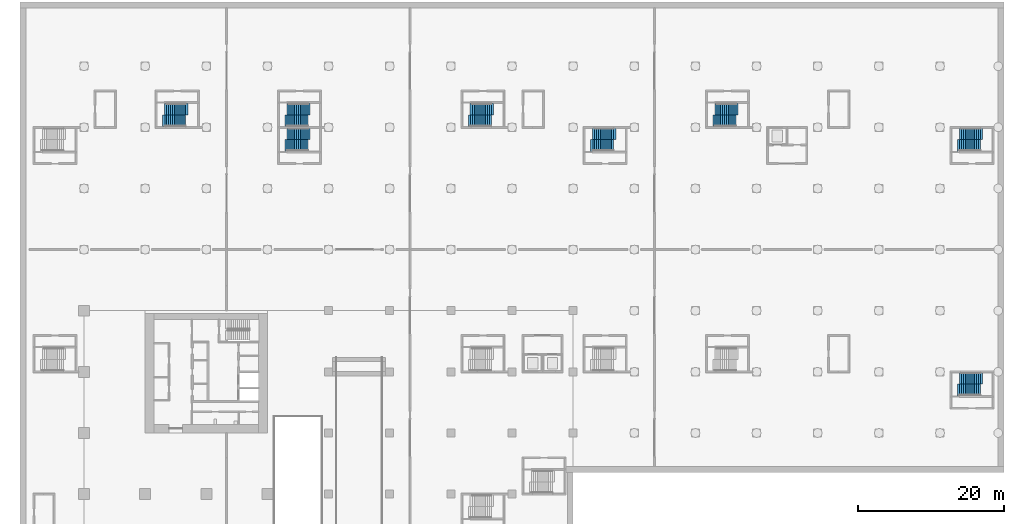
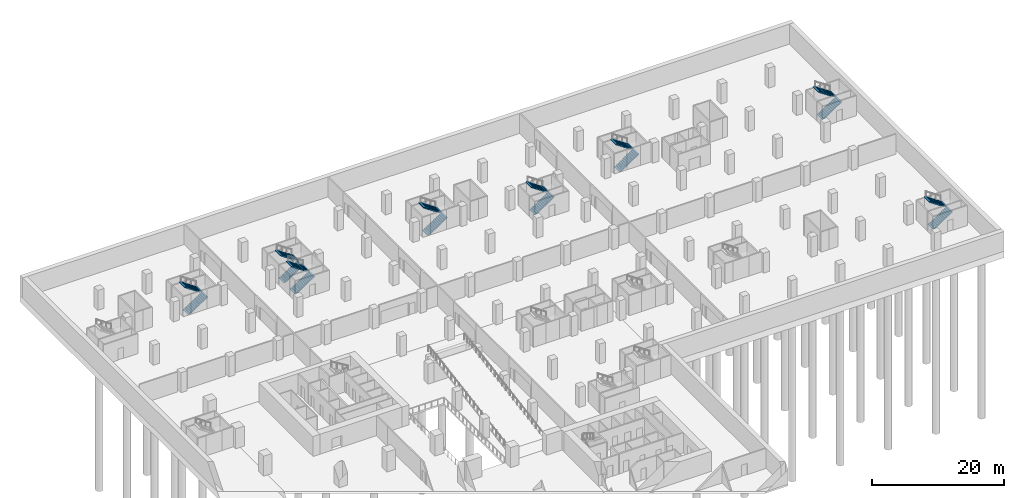
# One storey, part 15 of 19: 16 stair flights, 8 elements without a shape of their own.
"""IFC4 building model written with IfcOpenShell, lengths in metres."""

import ifcopenshell
import ifcopenshell.guid

model = None  # the IFC model being written
_history = None  # IfcOwnerHistory: only IFC2X3 demands one
_inside = {}  # id of a spatial element -> (the spatial element, [elements in it])
_under = {}  # id of a project, library or spatial element -> (it, [spatial elements below it])
_declared = {}  # id of a project -> (the project, [libraries it declares])
_typed = {}  # id of a type object -> (the type object, [elements of that type])
_made_of = {}  # id of a material, layer set ... -> (it, [elements and type objects made of it])


def new_model(schema):
    """Start an empty IFC model of exactly this schema.

    Asked for "IFC4X3", IfcOpenShell would pick the latest addendum, in which some entities
    have other attributes; the version numbers below select the first issue.
    IFC2X3 requires an IfcOwnerHistory on every rooted entity: one is made here for all.
    """
    global model, _history
    if schema == "IFC4X3":
        model = ifcopenshell.file(schema_version=(4, 3, 0, 0))
    else:
        model = ifcopenshell.file(schema=schema)
    _inside.clear()
    _under.clear()
    _declared.clear()
    _typed.clear()
    _made_of.clear()
    _history = None
    if model.schema == "IFC2X3":
        org = make("IfcOrganization", Name="unknown")
        user = make(
            "IfcPersonAndOrganization",
            ThePerson=make("IfcPerson", FamilyName="unknown"),
            TheOrganization=org,
        )
        app = make(
            "IfcApplication",
            ApplicationDeveloper=org,
            Version="unknown",
            ApplicationFullName="unknown",
            ApplicationIdentifier="unknown",
        )
        _history = make(
            "IfcOwnerHistory",
            OwningUser=user,
            OwningApplication=app,
            ChangeAction="ADDED",
            CreationDate=0,
        )
    return model


def make(cls, **values):
    """One entity of the class cls with the attributes given. An attribute that is None is left unset."""
    return model.create_entity(
        cls, **{name: value for name, value in values.items() if value is not None}
    )


def rooted(cls, **values):
    """An entity with a GlobalId (a new one), such as an element, a storey or a relation."""
    return make(cls, GlobalId=ifcopenshell.guid.new(), OwnerHistory=_history, **values)


def si_unit(unit_type, name, prefix=None):
    """IfcSIUnit, for example si_unit("LENGTHUNIT", "METRE", prefix="MILLI")."""
    return make("IfcSIUnit", UnitType=unit_type, Prefix=prefix, Name=name)


def assignment(units):
    """IfcUnitAssignment: the units of a project."""
    return None if units is None else make("IfcUnitAssignment", Units=units)


def point(xyz):
    """IfcCartesianPoint."""
    return None if xyz is None else make("IfcCartesianPoint", Coordinates=xyz)


def direction(xyz):
    """IfcDirection."""
    return None if xyz is None else make("IfcDirection", DirectionRatios=xyz)


def frame(location, z_axis=None, x_axis=None):
    """IfcAxis2Placement3D, a coordinate frame: its origin and axes. An axis left out is left unset."""
    return make(
        "IfcAxis2Placement3D",
        Location=point(location),
        Axis=direction(z_axis),
        RefDirection=direction(x_axis),
    )


def origin():
    """The frame at (0, 0, 0) with its axes left unset."""
    return frame((0.0, 0.0, 0.0))


def place(relative_to, where):
    """IfcLocalPlacement: puts the frame where relative to a parent placement (None: the world)."""
    return make(
        "IfcLocalPlacement", PlacementRelTo=relative_to, RelativePlacement=where
    )


def context(
    kind, dimensions, precision=None, world=None, true_north=None, identifier=None
):
    """IfcGeometricRepresentationContext, for example the 3D "Model" context."""
    return make(
        "IfcGeometricRepresentationContext",
        ContextIdentifier=identifier,
        ContextType=kind,
        CoordinateSpaceDimension=dimensions,
        Precision=precision,
        WorldCoordinateSystem=world,
        TrueNorth=true_north,
    )


def subcontext(parent, identifier, kind, view, scale=None):
    """IfcGeometricRepresentationSubContext, for example "Body" below "Model"."""
    return make(
        "IfcGeometricRepresentationSubContext",
        ContextIdentifier=identifier,
        ContextType=kind,
        ParentContext=parent,
        TargetScale=scale,
        TargetView=view,
    )


def project(units=None, contexts=None):
    """IfcProject with its units and contexts."""
    return rooted(
        "IfcProject",
        Name="project",
        RepresentationContexts=contexts,
        UnitsInContext=assignment(units),
    )


def spatial(cls, under=None, at=None, **own):
    """A site, building, storey or space (cls), placed at a placement, below another one or the project."""
    s = rooted(cls, ObjectPlacement=at, **own)
    if under is not None:
        _under.setdefault(under.id(), (under, []))[1].append(s)
    return s


def polyline(points):
    """IfcPolyline through the points."""
    return make("IfcPolyline", Points=[point(p) for p in points])


def outline(outer, holes=None, kind="AREA"):
    """IfcArbitraryClosedProfileDef: a profile drawn as a closed curve; with holes, ...WithVoids."""
    if holes is None:
        return make("IfcArbitraryClosedProfileDef", ProfileType=kind, OuterCurve=outer)
    return make(
        "IfcArbitraryProfileDefWithVoids",
        ProfileType=kind,
        OuterCurve=outer,
        InnerCurves=holes,
    )


def extrude(swept, where, along, depth):
    """IfcExtrudedAreaSolid: the profile swept, set in the frame where, extruded along a direction by depth."""
    return make(
        "IfcExtrudedAreaSolid",
        SweptArea=swept,
        Position=where,
        ExtrudedDirection=direction(along),
        Depth=depth,
    )


def shape(context_of_items, identifier, shape_type, items):
    """IfcShapeRepresentation: the items that make up one representation, for example the "Body"."""
    return make(
        "IfcShapeRepresentation",
        ContextOfItems=context_of_items,
        RepresentationIdentifier=identifier,
        RepresentationType=shape_type,
        Items=items,
    )


def material(Name=None, Category=None):
    """IfcMaterial."""
    return make("IfcMaterial", Name=Name, Category=Category)


def made_of(thing, what):
    """Note that an element or type object is made of a material, layer set ...; save() writes the relation."""
    if what is not None:
        _made_of.setdefault(what.id(), (what, []))[1].append(thing)
    return thing


def type_object(cls, material=None, **own):
    """A type object (cls), such as IfcWallType, which elements share."""
    return made_of(rooted(cls, **own), material)


def element(
    cls,
    number,
    at=None,
    inside=None,
    cuts=None,
    type_object=None,
    material=None,
    context=None,
    identifier="Body",
    shape_type=None,
    held_by="IfcProductDefinitionShape",
    body=None,
    shapes=None,
    **own,
):
    """One element of the class cls, such as IfcWall. Its Tag is "e" and its number.

    at: its placement. inside: the storey or other place that contains it. cuts: it is an
    opening in that element (IfcRelVoidsElement). A single representation is given by context,
    identifier, shape_type and body (its items); several are given by shapes. held_by: the class
    of the entity that holds the representations. save() writes the other relations.
    """
    e = rooted(cls, Tag="e%d" % number, ObjectPlacement=at, **own)
    if body is not None:
        shapes = [shape(context, identifier, shape_type, body)]
    if shapes is not None:
        e.Representation = make(held_by, Representations=shapes)
    if inside is not None:
        _inside.setdefault(inside.id(), (inside, []))[1].append(e)
    if cuts is not None:
        rooted(
            "IfcRelVoidsElement", RelatingBuildingElement=cuts, RelatedOpeningElement=e
        )
    if type_object is not None:
        _typed.setdefault(type_object.id(), (type_object, []))[1].append(e)
    return made_of(e, material)


def aggregate(whole, parts):
    """IfcRelAggregates: a whole, such as a stair, and the parts it consists of."""
    return rooted("IfcRelAggregates", RelatingObject=whole, RelatedObjects=parts)


def save(model, path):
    """Write the relations noted so far, then the file.

    IfcRelAggregates (storeys below a building ...), IfcRelContainedInSpatialStructure (elements
    in a storey), IfcRelDefinesByType, IfcRelAssociatesMaterial and IfcRelDeclares: one each for
    every whole, place, type object, material and project.
    """
    for whole, parts in _under.values():
        aggregate(whole, parts)
    for where, things in _inside.values():
        rooted(
            "IfcRelContainedInSpatialStructure",
            RelatedElements=things,
            RelatingStructure=where,
        )
    for kind, things in _typed.values():
        rooted("IfcRelDefinesByType", RelatedObjects=things, RelatingType=kind)
    for what, things in _made_of.values():
        rooted("IfcRelAssociatesMaterial", RelatedObjects=things, RelatingMaterial=what)
    for by, libraries in _declared.values():
        rooted("IfcRelDeclares", RelatingContext=by, RelatedDefinitions=libraries)
    model.write(path)


model = new_model("IFC4")

# Units and contexts
model_context = context("Model", 3, precision=1e-05, world=origin(), true_north=direction((0.0, 1.0)))
body_context = subcontext(model_context, "Body", "Model", "MODEL_VIEW")
ifc_project = project(units=[si_unit("LENGTHUNIT", "METRE"), si_unit("AREAUNIT", "SQUARE_METRE"), si_unit("VOLUMEUNIT", "CUBIC_METRE"), si_unit("PLANEANGLEUNIT", "RADIAN"), si_unit("MASSUNIT", "GRAM", prefix="KILO")], contexts=[model_context])

# Site, building, storey
site_placement = place(None, origin())
site = spatial("IfcSite", under=ifc_project, at=site_placement, CompositionType="ELEMENT")
building_placement = place(site_placement, origin())
building = spatial("IfcBuilding", under=site, at=building_placement, Name="Vermilion Gate Residences", CompositionType="ELEMENT")
storey_placement = place(building_placement, frame((0.0, 0.0, -8.0)))
storey = spatial("IfcBuildingStorey", under=building, at=storey_placement, Name="B2", CompositionType="ELEMENT", Elevation=-8.0)

# Stair, stair flights
ifc_material_1 = material(Name="Concrete C30", Category="concrete")
stair_type = type_object("IfcStairType", Name="ESCAPE STAIR 1200 (AMENITY)", PredefinedType="HALF_TURN_STAIR", material=ifc_material_1)
stair_1_placement = place(storey_placement, origin())
stair_1 = element("IfcStair", 1, at=stair_1_placement, inside=storey, type_object=stair_type, Name="Garage escape stair 5 B2 to B1", PredefinedType="HALF_TURN_STAIR")
ifc_material_2 = material(Name="Concrete C30", Category="concrete")
stair_flight_type = type_object("IfcStairFlightType", Name="ESCAPE STAIR FLIGHT 1200 (AMENITY)", PredefinedType="STRAIGHT", material=ifc_material_2)
stair_flight_1_placement = place(storey_placement, frame((120.300048828125, 47.89990234375, 0.0), z_axis=(0.0, 0.0, 1.0), x_axis=(1.0, 0.0, 0.0)))
stair_flight_1 = element("IfcStairFlight", 2, at=stair_flight_1_placement, type_object=stair_flight_type, Name="STG5 flight 1", NumberOfRisers=12, NumberOfTreads=11, PredefinedType="STRAIGHT", RiserHeight=0.173913043, TreadLength=0.26, context=body_context, shape_type="SweptSolid", body=[
    extrude(outline(polyline([(-0.300048828125, -0.14990234375), (-0.300048828125, -0.030029296875), (0.0, 0.0), (0.0, 0.173828125), (0.260009765625, 0.173828125), (0.260009765625, 0.347900390625), (0.52001953125, 0.347900390625), (0.52001953125, 0.521728515625), (0.780029296875, 0.521728515625), (0.780029296875, 0.695556640625), (1.0400390625, 0.695556640625), (1.0400390625, 0.86962890625), (1.300048828125, 0.86962890625), (1.300048828125, 1.04345703125), (1.56005859375, 1.04345703125), (1.56005859375, 1.21728515625), (1.820068359375, 1.21728515625), (1.820068359375, 1.391357421875), (2.080078125, 1.391357421875), (2.080078125, 1.565185546875), (2.340087890625, 1.565185546875), (2.340087890625, 1.739013671875), (2.60009765625, 1.739013671875), (2.60009765625, 1.9130859375), (2.860107421875, 1.9130859375), (2.860107421875, 2.0869140625), (3.159912109375, 2.056884765625), (3.159912109375, 1.93701171875), (2.860107421875, 1.732666015625), (0.26953125, 0.0), (-0.300048828125, -0.14990234375)])), frame((0.0, 0.800048828125, 0.0), z_axis=(0.0, -1.0, 0.0), x_axis=(1.0, 0.0, 0.0)), (0.0, 0.0, 1.0), 1.60009765625),
])
stair_flight_2_placement = place(storey_placement, frame((123.159912109375, 49.5, 2.0869140625), z_axis=(0.0, 0.0, 1.0), x_axis=(-1.0, 0.0, 0.0)))
stair_flight_2 = element("IfcStairFlight", 3, at=stair_flight_2_placement, type_object=stair_flight_type, Name="STG5 flight 2", NumberOfRisers=11, NumberOfTreads=10, PredefinedType="STRAIGHT", RiserHeight=0.173913043, TreadLength=0.26, context=body_context, shape_type="SweptSolid", body=[
    extrude(outline(polyline([(-0.300048828125, -0.14990234375), (-0.300048828125, -0.030029296875), (0.0, 0.0), (0.0, 0.173828125), (0.260009765625, 0.173828125), (0.260009765625, 0.347900390625), (0.52001953125, 0.347900390625), (0.52001953125, 0.521728515625), (0.780029296875, 0.521728515625), (0.780029296875, 0.695556640625), (1.0400390625, 0.695556640625), (1.0400390625, 0.86962890625), (1.300048828125, 0.86962890625), (1.300048828125, 1.04345703125), (1.56005859375, 1.04345703125), (1.56005859375, 1.21728515625), (1.820068359375, 1.21728515625), (1.820068359375, 1.391357421875), (2.080078125, 1.391357421875), (2.080078125, 1.565185546875), (2.340087890625, 1.565185546875), (2.340087890625, 1.739013671875), (2.60009765625, 1.739013671875), (2.60009765625, 1.9130859375), (2.89990234375, 1.883056640625), (2.89990234375, 1.76318359375), (2.60009765625, 1.558837890625), (0.26953125, 0.0), (-0.300048828125, -0.14990234375)])), frame((0.0, 0.800048828125, 0.0), z_axis=(0.0, -1.0, 0.0), x_axis=(1.0, 0.0, 0.0)), (0.0, 0.0, 1.0), 1.60009765625),
])
aggregate(stair_1, [stair_flight_1, stair_flight_2])

stair_2_placement = place(storey_placement, origin())
stair_2 = element("IfcStair", 4, at=stair_2_placement, inside=storey, type_object=stair_type, Name="Garage escape stair 8 B2 to B1", PredefinedType="HALF_TURN_STAIR")
stair_flight_3_placement = place(storey_placement, frame((11.10009765625, 84.89990234375, 0.0), z_axis=(0.0, 0.0, 1.0), x_axis=(1.0, 0.0, 0.0)))
stair_flight_3 = element("IfcStairFlight", 5, at=stair_flight_3_placement, type_object=stair_flight_type, Name="STG8 flight 1", NumberOfRisers=12, NumberOfTreads=11, PredefinedType="STRAIGHT", RiserHeight=0.173913043, TreadLength=0.26, context=body_context, shape_type="SweptSolid", body=[
    extrude(outline(polyline([(-0.300048828125, -0.14990234375), (-0.300048828125, -0.030029296875), (0.0, 0.0), (0.0, 0.173828125), (0.260009765625, 0.173828125), (0.260009765625, 0.347900390625), (0.52001953125, 0.347900390625), (0.52001953125, 0.521728515625), (0.780029296875, 0.521728515625), (0.780029296875, 0.695556640625), (1.0400390625, 0.695556640625), (1.0400390625, 0.86962890625), (1.300048828125, 0.86962890625), (1.300048828125, 1.04345703125), (1.56005859375, 1.04345703125), (1.56005859375, 1.21728515625), (1.820068359375, 1.21728515625), (1.820068359375, 1.391357421875), (2.080078125, 1.391357421875), (2.080078125, 1.565185546875), (2.340087890625, 1.565185546875), (2.340087890625, 1.739013671875), (2.60009765625, 1.739013671875), (2.60009765625, 1.9130859375), (2.860107421875, 1.9130859375), (2.860107421875, 2.0869140625), (3.159912109375, 2.056884765625), (3.159912109375, 1.93701171875), (2.860107421875, 1.732666015625), (0.26953125, 0.0), (-0.300048828125, -0.14990234375)])), frame((0.0, 0.800048828125, 0.0), z_axis=(0.0, -1.0, 0.0), x_axis=(1.0, 0.0, 0.0)), (0.0, 0.0, 1.0), 1.60009765625),
])
stair_flight_4_placement = place(storey_placement, frame((13.9599609375, 86.5, 2.0869140625), z_axis=(0.0, 0.0, 1.0), x_axis=(-1.0, 0.0, 0.0)))
stair_flight_4 = element("IfcStairFlight", 6, at=stair_flight_4_placement, type_object=stair_flight_type, Name="STG8 flight 2", NumberOfRisers=11, NumberOfTreads=10, PredefinedType="STRAIGHT", RiserHeight=0.173913043, TreadLength=0.26, context=body_context, shape_type="SweptSolid", body=[
    extrude(outline(polyline([(-0.300048828125, -0.14990234375), (-0.300048828125, -0.030029296875), (0.0, 0.0), (0.0, 0.173828125), (0.260009765625, 0.173828125), (0.260009765625, 0.347900390625), (0.52001953125, 0.347900390625), (0.52001953125, 0.521728515625), (0.780029296875, 0.521728515625), (0.780029296875, 0.695556640625), (1.0400390625, 0.695556640625), (1.0400390625, 0.86962890625), (1.300048828125, 0.86962890625), (1.300048828125, 1.04345703125), (1.56005859375, 1.04345703125), (1.56005859375, 1.21728515625), (1.820068359375, 1.21728515625), (1.820068359375, 1.391357421875), (2.080078125, 1.391357421875), (2.080078125, 1.565185546875), (2.340087890625, 1.565185546875), (2.340087890625, 1.739013671875), (2.60009765625, 1.739013671875), (2.60009765625, 1.9130859375), (2.89990234375, 1.883056640625), (2.89990234375, 1.76318359375), (2.60009765625, 1.558837890625), (0.26953125, 0.0), (-0.300048828125, -0.14990234375)])), frame((0.0, 0.800048828125, 0.0), z_axis=(0.0, -1.0, 0.0), x_axis=(1.0, 0.0, 0.0)), (0.0, 0.0, 1.0), 1.60009765625),
])
aggregate(stair_2, [stair_flight_3, stair_flight_4])

stair_3_placement = place(storey_placement, origin())
stair_3 = element("IfcStair", 7, at=stair_3_placement, inside=storey, type_object=stair_type, Name="Garage escape stair 9 B2 to B1", PredefinedType="HALF_TURN_STAIR")
stair_flight_5_placement = place(storey_placement, frame((27.89990234375, 84.89990234375, 0.0), z_axis=(0.0, 0.0, 1.0), x_axis=(1.0, 0.0, 0.0)))
stair_flight_5 = element("IfcStairFlight", 8, at=stair_flight_5_placement, type_object=stair_flight_type, Name="STG9 flight 1", NumberOfRisers=12, NumberOfTreads=11, PredefinedType="STRAIGHT", RiserHeight=0.173913043, TreadLength=0.26, context=body_context, shape_type="SweptSolid", body=[
    extrude(outline(polyline([(-0.300048828125, -0.14990234375), (-0.300048828125, -0.030029296875), (0.0, 0.0), (0.0, 0.173828125), (0.260009765625, 0.173828125), (0.260009765625, 0.347900390625), (0.52001953125, 0.347900390625), (0.52001953125, 0.521728515625), (0.780029296875, 0.521728515625), (0.780029296875, 0.695556640625), (1.0400390625, 0.695556640625), (1.0400390625, 0.86962890625), (1.300048828125, 0.86962890625), (1.300048828125, 1.04345703125), (1.56005859375, 1.04345703125), (1.56005859375, 1.21728515625), (1.820068359375, 1.21728515625), (1.820068359375, 1.391357421875), (2.080078125, 1.391357421875), (2.080078125, 1.565185546875), (2.340087890625, 1.565185546875), (2.340087890625, 1.739013671875), (2.60009765625, 1.739013671875), (2.60009765625, 1.9130859375), (2.860107421875, 1.9130859375), (2.860107421875, 2.0869140625), (3.159912109375, 2.056884765625), (3.159912109375, 1.93701171875), (2.860107421875, 1.732666015625), (0.26953125, 0.0), (-0.300048828125, -0.14990234375)])), frame((0.0, 0.800048828125, 0.0), z_axis=(0.0, -1.0, 0.0), x_axis=(1.0, 0.0, 0.0)), (0.0, 0.0, 1.0), 1.60009765625),
])
stair_flight_6_placement = place(storey_placement, frame((30.760009765625, 86.5, 2.0869140625), z_axis=(0.0, 0.0, 1.0), x_axis=(-1.0, 0.0, 0.0)))
stair_flight_6 = element("IfcStairFlight", 9, at=stair_flight_6_placement, type_object=stair_flight_type, Name="STG9 flight 2", NumberOfRisers=11, NumberOfTreads=10, PredefinedType="STRAIGHT", RiserHeight=0.173913043, TreadLength=0.26, context=body_context, shape_type="SweptSolid", body=[
    extrude(outline(polyline([(-0.300048828125, -0.14990234375), (-0.300048828125, -0.030029296875), (0.0, 0.0), (0.0, 0.173828125), (0.260009765625, 0.173828125), (0.260009765625, 0.347900390625), (0.52001953125, 0.347900390625), (0.52001953125, 0.521728515625), (0.780029296875, 0.521728515625), (0.780029296875, 0.695556640625), (1.0400390625, 0.695556640625), (1.0400390625, 0.86962890625), (1.300048828125, 0.86962890625), (1.300048828125, 1.04345703125), (1.56005859375, 1.04345703125), (1.56005859375, 1.21728515625), (1.820068359375, 1.21728515625), (1.820068359375, 1.391357421875), (2.080078125, 1.391357421875), (2.080078125, 1.565185546875), (2.340087890625, 1.565185546875), (2.340087890625, 1.739013671875), (2.60009765625, 1.739013671875), (2.60009765625, 1.9130859375), (2.89990234375, 1.883056640625), (2.89990234375, 1.76318359375), (2.60009765625, 1.558837890625), (0.26953125, 0.0), (-0.300048828125, -0.14990234375)])), frame((0.0, 0.800048828125, 0.0), z_axis=(0.0, -1.0, 0.0), x_axis=(1.0, 0.0, 0.0)), (0.0, 0.0, 1.0), 1.60009765625),
])
aggregate(stair_3, [stair_flight_5, stair_flight_6])

stair_4_placement = place(storey_placement, origin())
stair_4 = element("IfcStair", 10, at=stair_4_placement, inside=storey, type_object=stair_type, Name="Garage escape stair 10 B2 to B1", PredefinedType="HALF_TURN_STAIR")
stair_flight_7_placement = place(storey_placement, frame((27.89990234375, 81.5, 0.0), z_axis=(0.0, 0.0, 1.0), x_axis=(1.0, 0.0, 0.0)))
stair_flight_7 = element("IfcStairFlight", 11, at=stair_flight_7_placement, type_object=stair_flight_type, Name="STG10 flight 1", NumberOfRisers=12, NumberOfTreads=11, PredefinedType="STRAIGHT", RiserHeight=0.173913043, TreadLength=0.26, context=body_context, shape_type="SweptSolid", body=[
    extrude(outline(polyline([(-0.300048828125, -0.14990234375), (-0.300048828125, -0.030029296875), (0.0, 0.0), (0.0, 0.173828125), (0.260009765625, 0.173828125), (0.260009765625, 0.347900390625), (0.52001953125, 0.347900390625), (0.52001953125, 0.521728515625), (0.780029296875, 0.521728515625), (0.780029296875, 0.695556640625), (1.0400390625, 0.695556640625), (1.0400390625, 0.86962890625), (1.300048828125, 0.86962890625), (1.300048828125, 1.04345703125), (1.56005859375, 1.04345703125), (1.56005859375, 1.21728515625), (1.820068359375, 1.21728515625), (1.820068359375, 1.391357421875), (2.080078125, 1.391357421875), (2.080078125, 1.565185546875), (2.340087890625, 1.565185546875), (2.340087890625, 1.739013671875), (2.60009765625, 1.739013671875), (2.60009765625, 1.9130859375), (2.860107421875, 1.9130859375), (2.860107421875, 2.0869140625), (3.159912109375, 2.056884765625), (3.159912109375, 1.93701171875), (2.860107421875, 1.732666015625), (0.26953125, 0.0), (-0.300048828125, -0.14990234375)])), frame((0.0, 0.800048828125, 0.0), z_axis=(0.0, -1.0, 0.0), x_axis=(1.0, 0.0, 0.0)), (0.0, 0.0, 1.0), 1.60009765625),
])
stair_flight_8_placement = place(storey_placement, frame((30.760009765625, 83.10009765625, 2.0869140625), z_axis=(0.0, 0.0, 1.0), x_axis=(-1.0, 0.0, 0.0)))
stair_flight_8 = element("IfcStairFlight", 12, at=stair_flight_8_placement, type_object=stair_flight_type, Name="STG10 flight 2", NumberOfRisers=11, NumberOfTreads=10, PredefinedType="STRAIGHT", RiserHeight=0.173913043, TreadLength=0.26, context=body_context, shape_type="SweptSolid", body=[
    extrude(outline(polyline([(-0.300048828125, -0.14990234375), (-0.300048828125, -0.030029296875), (0.0, 0.0), (0.0, 0.173828125), (0.260009765625, 0.173828125), (0.260009765625, 0.347900390625), (0.52001953125, 0.347900390625), (0.52001953125, 0.521728515625), (0.780029296875, 0.521728515625), (0.780029296875, 0.695556640625), (1.0400390625, 0.695556640625), (1.0400390625, 0.86962890625), (1.300048828125, 0.86962890625), (1.300048828125, 1.04345703125), (1.56005859375, 1.04345703125), (1.56005859375, 1.21728515625), (1.820068359375, 1.21728515625), (1.820068359375, 1.391357421875), (2.080078125, 1.391357421875), (2.080078125, 1.565185546875), (2.340087890625, 1.565185546875), (2.340087890625, 1.739013671875), (2.60009765625, 1.739013671875), (2.60009765625, 1.9130859375), (2.89990234375, 1.883056640625), (2.89990234375, 1.76318359375), (2.60009765625, 1.558837890625), (0.26953125, 0.0), (-0.300048828125, -0.14990234375)])), frame((0.0, 0.800048828125, 0.0), z_axis=(0.0, -1.0, 0.0), x_axis=(1.0, 0.0, 0.0)), (0.0, 0.0, 1.0), 1.60009765625),
])
aggregate(stair_4, [stair_flight_7, stair_flight_8])

stair_5_placement = place(storey_placement, origin())
stair_5 = element("IfcStair", 13, at=stair_5_placement, inside=storey, type_object=stair_type, Name="Garage escape stair 11 B2 to B1", PredefinedType="HALF_TURN_STAIR")
stair_flight_9_placement = place(storey_placement, frame((69.89990234375, 81.5, 0.0), z_axis=(0.0, 0.0, 1.0), x_axis=(1.0, 0.0, 0.0)))
stair_flight_9 = element("IfcStairFlight", 14, at=stair_flight_9_placement, type_object=stair_flight_type, Name="STG11 flight 1", NumberOfRisers=12, NumberOfTreads=11, PredefinedType="STRAIGHT", RiserHeight=0.173913043, TreadLength=0.26, context=body_context, shape_type="SweptSolid", body=[
    extrude(outline(polyline([(-0.300048828125, -0.14990234375), (-0.300048828125, -0.030029296875), (0.0, 0.0), (0.0, 0.173828125), (0.260009765625, 0.173828125), (0.260009765625, 0.347900390625), (0.52001953125, 0.347900390625), (0.52001953125, 0.521728515625), (0.780029296875, 0.521728515625), (0.780029296875, 0.695556640625), (1.0400390625, 0.695556640625), (1.0400390625, 0.86962890625), (1.300048828125, 0.86962890625), (1.300048828125, 1.04345703125), (1.56005859375, 1.04345703125), (1.56005859375, 1.21728515625), (1.820068359375, 1.21728515625), (1.820068359375, 1.391357421875), (2.080078125, 1.391357421875), (2.080078125, 1.565185546875), (2.340087890625, 1.565185546875), (2.340087890625, 1.739013671875), (2.60009765625, 1.739013671875), (2.60009765625, 1.9130859375), (2.860107421875, 1.9130859375), (2.860107421875, 2.0869140625), (3.159912109375, 2.056884765625), (3.159912109375, 1.93701171875), (2.860107421875, 1.732666015625), (0.26953125, 0.0), (-0.300048828125, -0.14990234375)])), frame((0.0, 0.800048828125, 0.0), z_axis=(0.0, -1.0, 0.0), x_axis=(1.0, 0.0, 0.0)), (0.0, 0.0, 1.0), 1.60009765625),
])
stair_flight_10_placement = place(storey_placement, frame((72.760009765625, 83.10009765625, 2.0869140625), z_axis=(0.0, 0.0, 1.0), x_axis=(-1.0, 0.0, 0.0)))
stair_flight_10 = element("IfcStairFlight", 15, at=stair_flight_10_placement, type_object=stair_flight_type, Name="STG11 flight 2", NumberOfRisers=11, NumberOfTreads=10, PredefinedType="STRAIGHT", RiserHeight=0.173913043, TreadLength=0.26, context=body_context, shape_type="SweptSolid", body=[
    extrude(outline(polyline([(-0.300048828125, -0.14990234375), (-0.300048828125, -0.030029296875), (0.0, 0.0), (0.0, 0.173828125), (0.260009765625, 0.173828125), (0.260009765625, 0.347900390625), (0.52001953125, 0.347900390625), (0.52001953125, 0.521728515625), (0.780029296875, 0.521728515625), (0.780029296875, 0.695556640625), (1.0400390625, 0.695556640625), (1.0400390625, 0.86962890625), (1.300048828125, 0.86962890625), (1.300048828125, 1.04345703125), (1.56005859375, 1.04345703125), (1.56005859375, 1.21728515625), (1.820068359375, 1.21728515625), (1.820068359375, 1.391357421875), (2.080078125, 1.391357421875), (2.080078125, 1.565185546875), (2.340087890625, 1.565185546875), (2.340087890625, 1.739013671875), (2.60009765625, 1.739013671875), (2.60009765625, 1.9130859375), (2.89990234375, 1.883056640625), (2.89990234375, 1.76318359375), (2.60009765625, 1.558837890625), (0.26953125, 0.0), (-0.300048828125, -0.14990234375)])), frame((0.0, 0.800048828125, 0.0), z_axis=(0.0, -1.0, 0.0), x_axis=(1.0, 0.0, 0.0)), (0.0, 0.0, 1.0), 1.60009765625),
])
aggregate(stair_5, [stair_flight_9, stair_flight_10])

stair_6_placement = place(storey_placement, origin())
stair_6 = element("IfcStair", 16, at=stair_6_placement, inside=storey, type_object=stair_type, Name="Garage escape stair 12 B2 to B1", PredefinedType="HALF_TURN_STAIR")
stair_flight_11_placement = place(storey_placement, frame((53.10009765625, 84.89990234375, 0.0), z_axis=(0.0, 0.0, 1.0), x_axis=(1.0, 0.0, 0.0)))
stair_flight_11 = element("IfcStairFlight", 17, at=stair_flight_11_placement, type_object=stair_flight_type, Name="STG12 flight 1", NumberOfRisers=12, NumberOfTreads=11, PredefinedType="STRAIGHT", RiserHeight=0.173913043, TreadLength=0.26, context=body_context, shape_type="SweptSolid", body=[
    extrude(outline(polyline([(-0.300048828125, -0.14990234375), (-0.300048828125, -0.030029296875), (0.0, 0.0), (0.0, 0.173828125), (0.260009765625, 0.173828125), (0.260009765625, 0.347900390625), (0.52001953125, 0.347900390625), (0.52001953125, 0.521728515625), (0.780029296875, 0.521728515625), (0.780029296875, 0.695556640625), (1.0400390625, 0.695556640625), (1.0400390625, 0.86962890625), (1.300048828125, 0.86962890625), (1.300048828125, 1.04345703125), (1.56005859375, 1.04345703125), (1.56005859375, 1.21728515625), (1.820068359375, 1.21728515625), (1.820068359375, 1.391357421875), (2.080078125, 1.391357421875), (2.080078125, 1.565185546875), (2.340087890625, 1.565185546875), (2.340087890625, 1.739013671875), (2.60009765625, 1.739013671875), (2.60009765625, 1.9130859375), (2.860107421875, 1.9130859375), (2.860107421875, 2.0869140625), (3.159912109375, 2.056884765625), (3.159912109375, 1.93701171875), (2.860107421875, 1.732666015625), (0.26953125, 0.0), (-0.300048828125, -0.14990234375)])), frame((0.0, 0.800048828125, 0.0), z_axis=(0.0, -1.0, 0.0), x_axis=(1.0, 0.0, 0.0)), (0.0, 0.0, 1.0), 1.60009765625),
])
stair_flight_12_placement = place(storey_placement, frame((55.9599609375, 86.5, 2.0869140625), z_axis=(0.0, 0.0, 1.0), x_axis=(-1.0, 0.0, 0.0)))
stair_flight_12 = element("IfcStairFlight", 18, at=stair_flight_12_placement, type_object=stair_flight_type, Name="STG12 flight 2", NumberOfRisers=11, NumberOfTreads=10, PredefinedType="STRAIGHT", RiserHeight=0.173913043, TreadLength=0.26, context=body_context, shape_type="SweptSolid", body=[
    extrude(outline(polyline([(-0.300048828125, -0.14990234375), (-0.300048828125, -0.030029296875), (0.0, 0.0), (0.0, 0.173828125), (0.260009765625, 0.173828125), (0.260009765625, 0.347900390625), (0.52001953125, 0.347900390625), (0.52001953125, 0.521728515625), (0.780029296875, 0.521728515625), (0.780029296875, 0.695556640625), (1.0400390625, 0.695556640625), (1.0400390625, 0.86962890625), (1.300048828125, 0.86962890625), (1.300048828125, 1.04345703125), (1.56005859375, 1.04345703125), (1.56005859375, 1.21728515625), (1.820068359375, 1.21728515625), (1.820068359375, 1.391357421875), (2.080078125, 1.391357421875), (2.080078125, 1.565185546875), (2.340087890625, 1.565185546875), (2.340087890625, 1.739013671875), (2.60009765625, 1.739013671875), (2.60009765625, 1.9130859375), (2.89990234375, 1.883056640625), (2.89990234375, 1.76318359375), (2.60009765625, 1.558837890625), (0.26953125, 0.0), (-0.300048828125, -0.14990234375)])), frame((0.0, 0.800048828125, 0.0), z_axis=(0.0, -1.0, 0.0), x_axis=(1.0, 0.0, 0.0)), (0.0, 0.0, 1.0), 1.60009765625),
])
aggregate(stair_6, [stair_flight_11, stair_flight_12])

stair_7_placement = place(storey_placement, origin())
stair_7 = element("IfcStair", 19, at=stair_7_placement, inside=storey, type_object=stair_type, Name="Garage escape stair 13 B2 to B1", PredefinedType="HALF_TURN_STAIR")
stair_flight_13_placement = place(storey_placement, frame((120.300048828125, 81.5, 0.0), z_axis=(0.0, 0.0, 1.0), x_axis=(1.0, 0.0, 0.0)))
stair_flight_13 = element("IfcStairFlight", 20, at=stair_flight_13_placement, type_object=stair_flight_type, Name="STG13 flight 1", NumberOfRisers=12, NumberOfTreads=11, PredefinedType="STRAIGHT", RiserHeight=0.173913043, TreadLength=0.26, context=body_context, shape_type="SweptSolid", body=[
    extrude(outline(polyline([(-0.300048828125, -0.14990234375), (-0.300048828125, -0.030029296875), (0.0, 0.0), (0.0, 0.173828125), (0.260009765625, 0.173828125), (0.260009765625, 0.347900390625), (0.52001953125, 0.347900390625), (0.52001953125, 0.521728515625), (0.780029296875, 0.521728515625), (0.780029296875, 0.695556640625), (1.0400390625, 0.695556640625), (1.0400390625, 0.86962890625), (1.300048828125, 0.86962890625), (1.300048828125, 1.04345703125), (1.56005859375, 1.04345703125), (1.56005859375, 1.21728515625), (1.820068359375, 1.21728515625), (1.820068359375, 1.391357421875), (2.080078125, 1.391357421875), (2.080078125, 1.565185546875), (2.340087890625, 1.565185546875), (2.340087890625, 1.739013671875), (2.60009765625, 1.739013671875), (2.60009765625, 1.9130859375), (2.860107421875, 1.9130859375), (2.860107421875, 2.0869140625), (3.159912109375, 2.056884765625), (3.159912109375, 1.93701171875), (2.860107421875, 1.732666015625), (0.26953125, 0.0), (-0.300048828125, -0.14990234375)])), frame((0.0, 0.800048828125, 0.0), z_axis=(0.0, -1.0, 0.0), x_axis=(1.0, 0.0, 0.0)), (0.0, 0.0, 1.0), 1.60009765625),
])
stair_flight_14_placement = place(storey_placement, frame((123.159912109375, 83.10009765625, 2.0869140625), z_axis=(0.0, 0.0, 1.0), x_axis=(-1.0, 0.0, 0.0)))
stair_flight_14 = element("IfcStairFlight", 21, at=stair_flight_14_placement, type_object=stair_flight_type, Name="STG13 flight 2", NumberOfRisers=11, NumberOfTreads=10, PredefinedType="STRAIGHT", RiserHeight=0.173913043, TreadLength=0.26, context=body_context, shape_type="SweptSolid", body=[
    extrude(outline(polyline([(-0.300048828125, -0.14990234375), (-0.300048828125, -0.030029296875), (0.0, 0.0), (0.0, 0.173828125), (0.260009765625, 0.173828125), (0.260009765625, 0.347900390625), (0.52001953125, 0.347900390625), (0.52001953125, 0.521728515625), (0.780029296875, 0.521728515625), (0.780029296875, 0.695556640625), (1.0400390625, 0.695556640625), (1.0400390625, 0.86962890625), (1.300048828125, 0.86962890625), (1.300048828125, 1.04345703125), (1.56005859375, 1.04345703125), (1.56005859375, 1.21728515625), (1.820068359375, 1.21728515625), (1.820068359375, 1.391357421875), (2.080078125, 1.391357421875), (2.080078125, 1.565185546875), (2.340087890625, 1.565185546875), (2.340087890625, 1.739013671875), (2.60009765625, 1.739013671875), (2.60009765625, 1.9130859375), (2.89990234375, 1.883056640625), (2.89990234375, 1.76318359375), (2.60009765625, 1.558837890625), (0.26953125, 0.0), (-0.300048828125, -0.14990234375)])), frame((0.0, 0.800048828125, 0.0), z_axis=(0.0, -1.0, 0.0), x_axis=(1.0, 0.0, 0.0)), (0.0, 0.0, 1.0), 1.60009765625),
])
aggregate(stair_7, [stair_flight_13, stair_flight_14])

stair_8_placement = place(storey_placement, origin())
stair_8 = element("IfcStair", 22, at=stair_8_placement, inside=storey, type_object=stair_type, Name="Garage escape stair 14 B2 to B1", PredefinedType="HALF_TURN_STAIR")
stair_flight_15_placement = place(storey_placement, frame((86.699951171875, 84.89990234375, 0.0), z_axis=(0.0, 0.0, 1.0), x_axis=(1.0, 0.0, 0.0)))
stair_flight_15 = element("IfcStairFlight", 23, at=stair_flight_15_placement, type_object=stair_flight_type, Name="STG14 flight 1", NumberOfRisers=12, NumberOfTreads=11, PredefinedType="STRAIGHT", RiserHeight=0.173913043, TreadLength=0.26, context=body_context, shape_type="SweptSolid", body=[
    extrude(outline(polyline([(-0.300048828125, -0.14990234375), (-0.300048828125, -0.030029296875), (0.0, 0.0), (0.0, 0.173828125), (0.260009765625, 0.173828125), (0.260009765625, 0.347900390625), (0.52001953125, 0.347900390625), (0.52001953125, 0.521728515625), (0.780029296875, 0.521728515625), (0.780029296875, 0.695556640625), (1.0400390625, 0.695556640625), (1.0400390625, 0.86962890625), (1.300048828125, 0.86962890625), (1.300048828125, 1.04345703125), (1.56005859375, 1.04345703125), (1.56005859375, 1.21728515625), (1.820068359375, 1.21728515625), (1.820068359375, 1.391357421875), (2.080078125, 1.391357421875), (2.080078125, 1.565185546875), (2.340087890625, 1.565185546875), (2.340087890625, 1.739013671875), (2.60009765625, 1.739013671875), (2.60009765625, 1.9130859375), (2.860107421875, 1.9130859375), (2.860107421875, 2.0869140625), (3.159912109375, 2.056884765625), (3.159912109375, 1.93701171875), (2.860107421875, 1.732666015625), (0.26953125, 0.0), (-0.300048828125, -0.14990234375)])), frame((0.0, 0.800048828125, 0.0), z_axis=(0.0, -1.0, 0.0), x_axis=(1.0, 0.0, 0.0)), (0.0, 0.0, 1.0), 1.60009765625),
])
stair_flight_16_placement = place(storey_placement, frame((89.56005859375, 86.5, 2.0869140625), z_axis=(0.0, 0.0, 1.0), x_axis=(-1.0, 0.0, 0.0)))
stair_flight_16 = element("IfcStairFlight", 24, at=stair_flight_16_placement, type_object=stair_flight_type, Name="STG14 flight 2", NumberOfRisers=11, NumberOfTreads=10, PredefinedType="STRAIGHT", RiserHeight=0.173913043, TreadLength=0.26, context=body_context, shape_type="SweptSolid", body=[
    extrude(outline(polyline([(-0.300048828125, -0.14990234375), (-0.300048828125, -0.030029296875), (0.0, 0.0), (0.0, 0.173828125), (0.260009765625, 0.173828125), (0.260009765625, 0.347900390625), (0.52001953125, 0.347900390625), (0.52001953125, 0.521728515625), (0.780029296875, 0.521728515625), (0.780029296875, 0.695556640625), (1.0400390625, 0.695556640625), (1.0400390625, 0.86962890625), (1.300048828125, 0.86962890625), (1.300048828125, 1.04345703125), (1.56005859375, 1.04345703125), (1.56005859375, 1.21728515625), (1.820068359375, 1.21728515625), (1.820068359375, 1.391357421875), (2.080078125, 1.391357421875), (2.080078125, 1.565185546875), (2.340087890625, 1.565185546875), (2.340087890625, 1.739013671875), (2.60009765625, 1.739013671875), (2.60009765625, 1.9130859375), (2.89990234375, 1.883056640625), (2.89990234375, 1.76318359375), (2.60009765625, 1.558837890625), (0.26953125, 0.0), (-0.300048828125, -0.14990234375)])), frame((0.0, 0.800048828125, 0.0), z_axis=(0.0, -1.0, 0.0), x_axis=(1.0, 0.0, 0.0)), (0.0, 0.0, 1.0), 1.60009765625),
])
aggregate(stair_8, [stair_flight_15, stair_flight_16])

save(model, "model.ifc")
